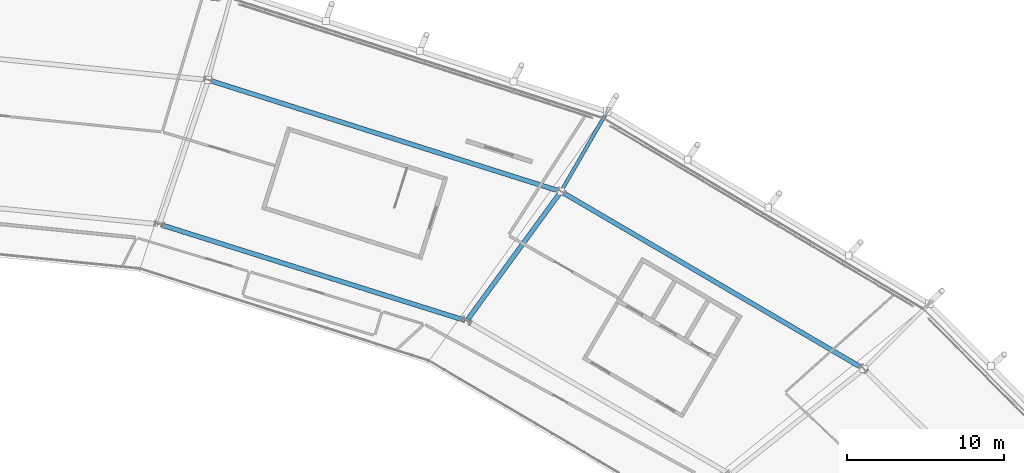
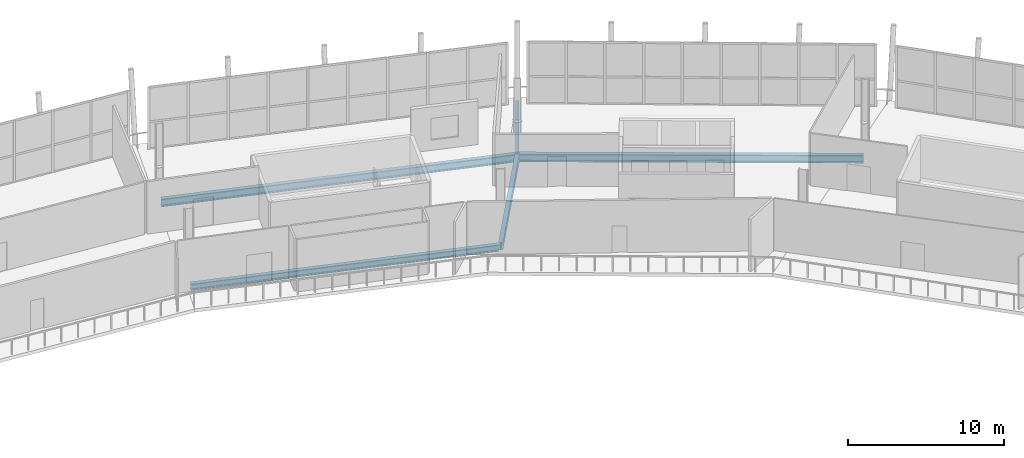
# One storey, part 50 of 99: 5 beams.
"""IFC4 building model written with IfcOpenShell, lengths in metres."""

from ifc_helpers import new_model, si_unit, direction, frame, origin, origin_2d, place, context, subcontext, project, spatial, i_section, extrude, material, material_profile, profile_set, type_object, element, save


model = new_model("IFC4")

# Units and contexts
model_context = context("Model", 3, precision=1e-05, world=origin(), true_north=direction((0.0, 1.0)))
body_context = subcontext(model_context, "Body", "Model", "MODEL_VIEW")
ifc_project = project(units=[si_unit("LENGTHUNIT", "METRE"), si_unit("AREAUNIT", "SQUARE_METRE"), si_unit("VOLUMEUNIT", "CUBIC_METRE"), si_unit("PLANEANGLEUNIT", "RADIAN"), si_unit("MASSUNIT", "GRAM", prefix="KILO")], contexts=[model_context])

# Site, building, storey
site_placement = place(None, origin())
site = spatial("IfcSite", under=ifc_project, at=site_placement, CompositionType="ELEMENT")
building_placement = place(site_placement, origin())
building = spatial("IfcBuilding", under=site, at=building_placement, Name="Zlatoyarsky Gate Stadium", CompositionType="ELEMENT")
storey_placement = place(building_placement, frame((0.0, 0.0, 26.199951171875)))
storey = spatial("IfcBuildingStorey", under=building, at=storey_placement, Name="L05", CompositionType="ELEMENT", Elevation=26.199951171875)

# Beams
ifc_material = material(Name="Steel S355", Category="steel")
ifc_material_profile_1 = material_profile(ifc_material, i_section(OverallWidth=0.219970703125, OverallDepth=0.60009765625, WebThickness=0.011962890625, FlangeThickness=0.01904296875, FilletRadius=0.02392578125, at=origin_2d()), Name="IPE 600")
ifc_profile_set_1 = profile_set([ifc_material_profile_1], Name="Steel S355")
beam_type_1 = type_object("IfcBeamType", Name="STEEL CANTILEVER FLOOR BEAM IPE 600", PredefinedType="BEAM", material=ifc_profile_set_1)
beam_1_placement = place(storey_placement, frame((157.56005859375, 141.591796875, -0.56005859375), z_axis=(0.500019739641, 0.866014006798, 0.0), x_axis=(-0.866014006798, 0.500019739641, 0.0)))
element("IfcBeam", 1, at=beam_1_placement, inside=storey, type_object=beam_type_1, Name="Beam B-IPE600 BM-L05-OUT-04", PredefinedType="BEAM", context=body_context, shape_type="SweptSolid", body=[
    extrude(i_section(OverallWidth=0.219970703125, OverallDepth=0.60009765625, WebThickness=0.011962890625, FlangeThickness=0.01904296875, FilletRadius=0.02392578125, at=origin_2d()), origin(), (0.0, 0.0, 1.0), 5.758056640625),
])
ifc_material_profile_2 = material_profile(ifc_material, i_section(OverallWidth=0.300048828125, OverallDepth=0.5, WebThickness=0.014404296875, FlangeThickness=0.028076171875, FilletRadius=0.027099609375, at=origin_2d()), Name="HEB 500")
ifc_profile_set_2 = profile_set([ifc_material_profile_2], Name="Steel S355")
beam_type_2 = type_object("IfcBeamType", Name="STEEL PRIMARY GIRDER HEB 500", PredefinedType="BEAM", material=ifc_profile_set_2)
beam_2_placement = place(storey_placement, frame((151.385498046875, 133.296630859375, -0.510009765625), z_axis=(-0.953937507984, 0.300005384719, 0.0), x_axis=(-0.300005384719, -0.953937507984, 0.0)))
element("IfcBeam", 2, at=beam_2_placement, inside=storey, type_object=beam_type_2, Name="Beam G-HEB500 BM-L05-CRB-04", PredefinedType="BEAM", context=body_context, shape_type="SweptSolid", body=[
    extrude(i_section(OverallWidth=0.300048828125, OverallDepth=0.5, WebThickness=0.014404296875, FlangeThickness=0.028076171875, FilletRadius=0.027099609375, at=origin_2d()), origin(), (0.0, 0.0, 1.0), 20.239013671875),
])
ifc_material_profile_3 = material_profile(ifc_material, i_section(OverallWidth=0.300048828125, OverallDepth=0.60009765625, WebThickness=0.015380859375, FlangeThickness=0.030029296875, FilletRadius=0.027099609375, at=origin_2d()), Name="HEB 600")
ifc_profile_set_3 = profile_set([ifc_material_profile_3], Name="Steel S355")
beam_type_3 = type_object("IfcBeamType", Name="STEEL PRIMARY GIRDER HEB 600", PredefinedType="BEAM", material=ifc_profile_set_3)
beam_3_placement = place(storey_placement, frame((176.657470703125, 130.265380859375, -0.56005859375), z_axis=(-0.862854775092, 0.505451913738, 0.0), x_axis=(-0.505451913738, -0.862854775092, 0.0)))
element("IfcBeam", 3, at=beam_3_placement, inside=storey, type_object=beam_type_3, Name="Beam G-HEB600 BM-L05-CRC-03", PredefinedType="BEAM", context=body_context, shape_type="SweptSolid", body=[
    extrude(i_section(OverallWidth=0.300048828125, OverallDepth=0.60009765625, WebThickness=0.015380859375, FlangeThickness=0.030029296875, FilletRadius=0.027099609375, at=origin_2d()), origin(), (0.0, 0.0, 1.0), 22.08251953125),
])
beam_4_placement = place(storey_placement, frame((151.57080078125, 133.357666015625, -0.56005859375), z_axis=(0.589228266457, 0.807966614415, 0.0), x_axis=(-0.807966614415, 0.589228266457, 0.0)))
element("IfcBeam", 4, at=beam_4_placement, inside=storey, type_object=beam_type_3, Name="Beam G-HEB600 BM-L05-RBC-04", PredefinedType="BEAM", context=body_context, shape_type="SweptSolid", body=[
    extrude(i_section(OverallWidth=0.300048828125, OverallDepth=0.60009765625, WebThickness=0.015380859375, FlangeThickness=0.030029296875, FilletRadius=0.027099609375, at=origin_2d()), origin(), (0.0, 0.0, 1.0), 9.9423828125),
])
beam_5_placement = place(storey_placement, frame((157.385498046875, 141.52392578125, -0.56005859375), z_axis=(-0.953463107403, 0.301509706015, 0.0), x_axis=(-0.301509706015, -0.953463107403, 0.0)))
element("IfcBeam", 5, at=beam_5_placement, inside=storey, type_object=beam_type_3, Name="Beam G-HEB600 BM-L05-CRC-04", PredefinedType="BEAM", context=body_context, shape_type="SweptSolid", body=[
    extrude(i_section(OverallWidth=0.300048828125, OverallDepth=0.60009765625, WebThickness=0.015380859375, FlangeThickness=0.030029296875, FilletRadius=0.027099609375, at=origin_2d()), origin(), (0.0, 0.0, 1.0), 23.284423828125),
])

save(model, "model.ifc")
